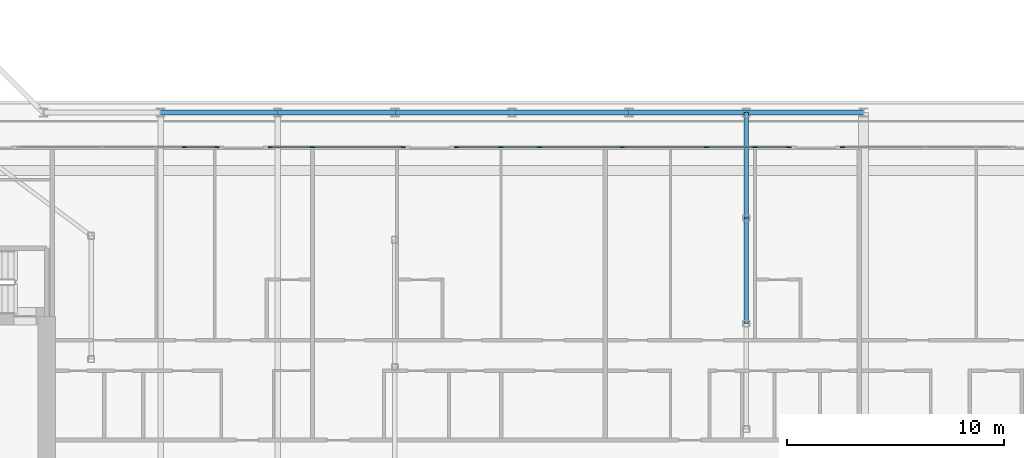
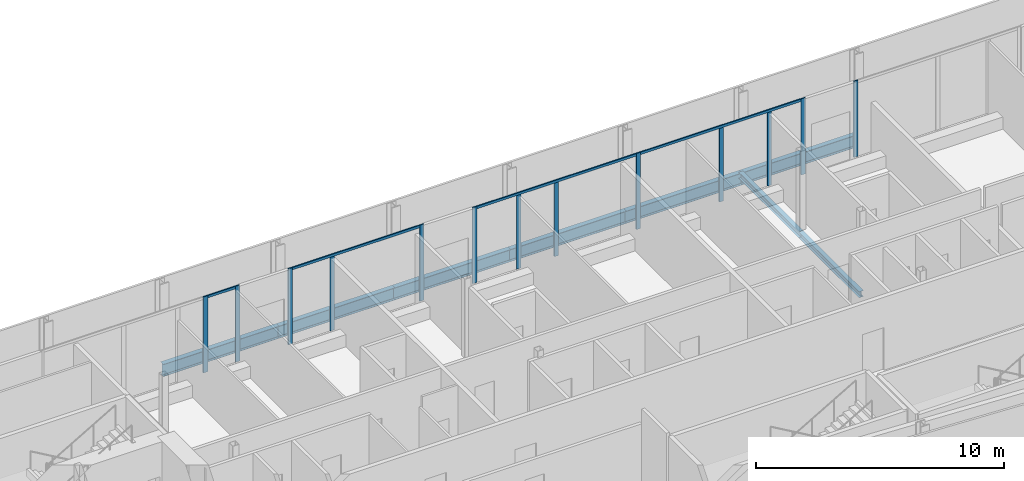
# One storey, part 8 of 28: 17 members, 8 beams, 6 elements without a shape of their own.
"""IFC4 building model written with IfcOpenShell, lengths in metres."""

from ifc_helpers import new_model, si_unit, direction, frame, origin, origin_2d, place, context, subcontext, project, spatial, rectangle, i_section, extrude, material, layer, layer_set, material_profile, profile_set, type_object, element, aggregate, save


model = new_model("IFC4")

# Units and contexts
model_context = context("Model", 3, precision=1e-05, world=origin(), true_north=direction((0.0, 1.0)))
body_context = subcontext(model_context, "Body", "Model", "MODEL_VIEW")
ifc_project = project(units=[si_unit("LENGTHUNIT", "METRE"), si_unit("AREAUNIT", "SQUARE_METRE"), si_unit("VOLUMEUNIT", "CUBIC_METRE"), si_unit("PLANEANGLEUNIT", "RADIAN"), si_unit("MASSUNIT", "GRAM", prefix="KILO")], contexts=[model_context])

# Site, building, storey
site_placement = place(None, origin())
site = spatial("IfcSite", under=ifc_project, at=site_placement, CompositionType="ELEMENT")
building_placement = place(site_placement, origin())
building = spatial("IfcBuilding", under=site, at=building_placement, Name="Kheshtan School and Residences Tower", CompositionType="ELEMENT")
storey_placement = place(building_placement, frame((0.0, 0.0, 191.60009765625)))
storey = spatial("IfcBuildingStorey", under=building, at=storey_placement, Name="L45", CompositionType="ELEMENT", Elevation=191.60009765625)

# Beams
ifc_material_1 = material(Name="Steel ASTM A992 Grade 50", Category="steel")
ifc_material_profile_1 = material_profile(ifc_material_1, i_section(OverallWidth=0.202880859375, OverallDepth=0.302978515625, WebThickness=0.007568359375, FlangeThickness=0.01318359375, FilletRadius=0.009033203125, at=origin_2d()), Name="W310x60")
ifc_profile_set_1 = profile_set([ifc_material_profile_1], Name="Steel ASTM A992 Grade 50")
beam_type_1 = type_object("IfcBeamType", Name="Beam FB1 W310x60 ASTM A992 Grade 50", PredefinedType="BEAM", material=ifc_profile_set_1)
for number, where, z_axis, x_axis, name in (
    (1, (85.39990234375, 45.60009765625, -0.301513671875), (0.0, -1.0, 0.0), (1.0, 0.0, 0.0), "Floor beam C067"),
    (2, (85.39990234375, 40.735107421875, -0.301513671875), (0.0, -1.0, 0.0), (1.0, 0.0, 0.0), "Floor beam IC"),
):
    element("IfcBeam", number, at=place(storey_placement, frame(where, z_axis=z_axis, x_axis=x_axis)), inside=storey, type_object=beam_type_1, Name=name, PredefinedType="BEAM", context=body_context, shape_type="SweptSolid", body=[
        extrude(i_section(OverallWidth=0.202880859375, OverallDepth=0.302978515625, WebThickness=0.007568359375, FlangeThickness=0.01318359375, FilletRadius=0.009033203125, at=origin_2d()), origin(), (0.0, 0.0, 1.0), 4.864990234375),
    ])
ifc_material_profile_2 = material_profile(ifc_material_1, i_section(OverallWidth=0.22802734375, OverallDepth=0.60302734375, WebThickness=0.010498046875, FlangeThickness=0.014892578125, FilletRadius=0.013427734375, at=origin_2d()), Name="W610x101")
ifc_profile_set_2 = profile_set([ifc_material_profile_2], Name="Steel ASTM A992 Grade 50")
beam_type_2 = type_object("IfcBeamType", Name="Beam SP2 W610x101 ASTM A992 Grade 50", PredefinedType="BEAM", material=ifc_profile_set_2)
beam_1_placement = place(storey_placement, frame((58.39990234375, 45.60009765625, -0.45166015625), z_axis=(1.0, 0.0, 0.0), x_axis=(0.0, 1.0, 0.0)))
element("IfcBeam", 3, at=beam_1_placement, inside=storey, type_object=beam_type_2, Name="Spandrel beam C062-C063", PredefinedType="BEAM", context=body_context, shape_type="SweptSolid", body=[
    extrude(i_section(OverallWidth=0.22802734375, OverallDepth=0.60302734375, WebThickness=0.010498046875, FlangeThickness=0.014892578125, FilletRadius=0.013427734375, at=origin_2d()), origin(), (0.0, 0.0, 1.0), 5.400146484375),
])
beam_2_placement = place(storey_placement, frame((63.800048828125, 45.60009765625, -0.45166015625), z_axis=(1.0, 0.0, 0.0), x_axis=(0.0, 1.0, 0.0)))
element("IfcBeam", 4, at=beam_2_placement, inside=storey, type_object=beam_type_2, Name="Spandrel beam C063-C064", PredefinedType="BEAM", context=body_context, shape_type="SweptSolid", body=[
    extrude(i_section(OverallWidth=0.22802734375, OverallDepth=0.60302734375, WebThickness=0.010498046875, FlangeThickness=0.014892578125, FilletRadius=0.013427734375, at=origin_2d()), origin(), (0.0, 0.0, 1.0), 5.39990234375),
])
beam_3_placement = place(storey_placement, frame((69.199951171875, 45.60009765625, -0.45166015625), z_axis=(1.0, 0.0, 0.0), x_axis=(0.0, 1.0, 0.0)))
element("IfcBeam", 5, at=beam_3_placement, inside=storey, type_object=beam_type_2, Name="Spandrel beam C064-C065", PredefinedType="BEAM", context=body_context, shape_type="SweptSolid", body=[
    extrude(i_section(OverallWidth=0.22802734375, OverallDepth=0.60302734375, WebThickness=0.010498046875, FlangeThickness=0.014892578125, FilletRadius=0.013427734375, at=origin_2d()), origin(), (0.0, 0.0, 1.0), 5.400146484375),
])
for number, where, z_axis, x_axis, name in (
    (6, (74.60009765625, 45.60009765625, -0.45166015625), (1.0, 0.0, 0.0), (0.0, 1.0, 0.0), "Spandrel beam C065-C066"),
    (7, (80.0, 45.60009765625, -0.45166015625), (1.0, 0.0, 0.0), (0.0, 1.0, 0.0), "Spandrel beam C066-C067"),
):
    element("IfcBeam", number, at=place(storey_placement, frame(where, z_axis=z_axis, x_axis=x_axis)), inside=storey, type_object=beam_type_2, Name=name, PredefinedType="BEAM", context=body_context, shape_type="SweptSolid", body=[
        extrude(i_section(OverallWidth=0.22802734375, OverallDepth=0.60302734375, WebThickness=0.010498046875, FlangeThickness=0.014892578125, FilletRadius=0.013427734375, at=origin_2d()), origin(), (0.0, 0.0, 1.0), 5.39990234375),
    ])
beam_4_placement = place(storey_placement, frame((85.39990234375, 45.60009765625, -0.45166015625), z_axis=(1.0, 0.0, 0.0), x_axis=(0.0, 1.0, 0.0)))
element("IfcBeam", 8, at=beam_4_placement, inside=storey, type_object=beam_type_2, Name="Spandrel beam C067-C068", PredefinedType="BEAM", context=body_context, shape_type="SweptSolid", body=[
    extrude(i_section(OverallWidth=0.22802734375, OverallDepth=0.60302734375, WebThickness=0.010498046875, FlangeThickness=0.014892578125, FilletRadius=0.013427734375, at=origin_2d()), origin(), (0.0, 0.0, 1.0), 5.400146484375),
])

# Curtain wall, member
ifc_material_2 = material(Name="Clear low-e glass in thermally broken aluminium frame", Category="aluminium")
ifc_layer = layer(ifc_material_2, 0.199951171875)
ifc_layer_set = layer_set([ifc_layer], Name="Curtain wall CW-L")
curtain_wall_type = type_object("IfcCurtainWallType", Name="Curtain wall CW-L", PredefinedType="NOTDEFINED", material=ifc_layer_set)
curtain_wall_1_placement = place(storey_placement, origin())
curtain_wall_1 = element("IfcCurtainWall", 9, at=curtain_wall_1_placement, inside=storey, type_object=curtain_wall_type, Name="Curtain wall CWL12k", PredefinedType="NOTDEFINED")
ifc_material_3 = material(Name="Thermally broken aluminium, dark bronze anodised", Category="aluminium")
ifc_material_profile_3 = material_profile(ifc_material_3, rectangle(XDim=0.06005859375, YDim=0.199951171875, at=origin_2d()), Name="CW-L mullion 60x200")
ifc_profile_set_3 = profile_set([ifc_material_profile_3], Name="Thermally broken aluminium, dark bronze anodised")
member_type_1 = type_object("IfcMemberType", Name="CW-L mullion 60x200", PredefinedType="MULLION", material=ifc_profile_set_3)
member_1_placement = place(storey_placement, frame((59.493896484375, 44.0, 0.0), z_axis=(0.0, 0.0, 1.0), x_axis=(0.0, 1.0, 0.0)))
member_1 = element("IfcMember", 10, at=member_1_placement, type_object=member_type_1, Name="CWL12k mullion 4", PredefinedType="MULLION", context=body_context, shape_type="SweptSolid", body=[
    extrude(rectangle(XDim=0.06005859375, YDim=0.199951171875, at=origin_2d()), origin(), (0.0, 0.0, 1.0), 3.75),
])
aggregate(curtain_wall_1, [member_1])

curtain_wall_2_placement = place(storey_placement, origin())
curtain_wall_2 = element("IfcCurtainWall", 11, at=curtain_wall_2_placement, inside=storey, type_object=curtain_wall_type, Name="Curtain wall CWL12w", PredefinedType="NOTDEFINED")
member_2_placement = place(storey_placement, frame((60.993896484375, 44.0, 0.0), z_axis=(0.0, 0.0, 1.0), x_axis=(0.0, 1.0, 0.0)))
member_2 = element("IfcMember", 12, at=member_2_placement, type_object=member_type_1, Name="CWL12w mullion 2", PredefinedType="MULLION", context=body_context, shape_type="SweptSolid", body=[
    extrude(rectangle(XDim=0.06005859375, YDim=0.199951171875, at=origin_2d()), origin(), (0.0, 0.0, 1.0), 3.75),
])

# Curtain wall, members
curtain_wall_3_placement = place(storey_placement, origin())
curtain_wall_3 = element("IfcCurtainWall", 13, at=curtain_wall_3_placement, inside=storey, type_object=curtain_wall_type, Name="Curtain wall CWL1227", PredefinedType="NOTDEFINED")
member_3_placement = place(storey_placement, frame((63.4541015625, 44.0, 0.0), z_axis=(0.0, 0.0, 1.0), x_axis=(0.0, 1.0, 0.0)))
member_3 = element("IfcMember", 14, at=member_3_placement, type_object=member_type_1, Name="CWL1227 mullion 1", PredefinedType="MULLION", context=body_context, shape_type="SweptSolid", body=[
    extrude(rectangle(XDim=0.06005859375, YDim=0.199951171875, at=origin_2d()), origin(), (0.0, 0.0, 1.0), 3.75),
])
member_4_placement = place(storey_placement, frame((65.39990234375, 44.0, 0.0), z_axis=(0.0, 0.0, 1.0), x_axis=(0.0, 1.0, 0.0)))
member_4 = element("IfcMember", 15, at=member_4_placement, type_object=member_type_1, Name="CWL1227 mullion 2", PredefinedType="MULLION", context=body_context, shape_type="SweptSolid", body=[
    extrude(rectangle(XDim=0.06005859375, YDim=0.199951171875, at=origin_2d()), origin(), (0.0, 0.0, 1.0), 3.6298828125),
])
member_5_placement = place(storey_placement, frame((69.587890625, 44.0, 0.0), z_axis=(0.0, 0.0, 1.0), x_axis=(0.0, 1.0, 0.0)))
member_5 = element("IfcMember", 16, at=member_5_placement, type_object=member_type_1, Name="CWL1227 mullion 3", PredefinedType="MULLION", context=body_context, shape_type="SweptSolid", body=[
    extrude(rectangle(XDim=0.06005859375, YDim=0.199951171875, at=origin_2d()), origin(), (0.0, 0.0, 1.0), 3.75),
])

curtain_wall_4_placement = place(storey_placement, origin())
curtain_wall_4 = element("IfcCurtainWall", 17, at=curtain_wall_4_placement, inside=storey, type_object=curtain_wall_type, Name="Curtain wall CWL12k", PredefinedType="NOTDEFINED")
member_6_placement = place(storey_placement, frame((72.048095703125, 44.0, 0.0), z_axis=(0.0, 0.0, 1.0), x_axis=(0.0, 1.0, 0.0)))
member_6 = element("IfcMember", 18, at=member_6_placement, type_object=member_type_1, Name="CWL12k mullion 1", PredefinedType="MULLION", context=body_context, shape_type="SweptSolid", body=[
    extrude(rectangle(XDim=0.06005859375, YDim=0.199951171875, at=origin_2d()), origin(), (0.0, 0.0, 1.0), 3.75),
])
member_7_placement = place(storey_placement, frame((74.10009765625, 44.0, 0.0), z_axis=(0.0, 0.0, 1.0), x_axis=(0.0, 1.0, 0.0)))
member_7 = element("IfcMember", 19, at=member_7_placement, type_object=member_type_1, Name="CWL12k mullion 2", PredefinedType="MULLION", context=body_context, shape_type="SweptSolid", body=[
    extrude(rectangle(XDim=0.06005859375, YDim=0.199951171875, at=origin_2d()), origin(), (0.0, 0.0, 1.0), 3.6298828125),
])
member_8_placement = place(storey_placement, frame((75.864990234375, 44.0, 0.0), z_axis=(0.0, 0.0, 1.0), x_axis=(0.0, 1.0, 0.0)))
member_8 = element("IfcMember", 20, at=member_8_placement, type_object=member_type_1, Name="CWL12k mullion 3", PredefinedType="MULLION", context=body_context, shape_type="SweptSolid", body=[
    extrude(rectangle(XDim=0.06005859375, YDim=0.199951171875, at=origin_2d()), origin(), (0.0, 0.0, 1.0), 3.6298828125),
])
member_9_placement = place(storey_placement, frame((79.681884765625, 44.0, 0.0), z_axis=(0.0, 0.0, 1.0), x_axis=(0.0, 1.0, 0.0)))
member_9 = element("IfcMember", 21, at=member_9_placement, type_object=member_type_1, Name="CWL12k mullion 4", PredefinedType="MULLION", context=body_context, shape_type="SweptSolid", body=[
    extrude(rectangle(XDim=0.06005859375, YDim=0.199951171875, at=origin_2d()), origin(), (0.0, 0.0, 1.0), 3.75),
])

curtain_wall_5_placement = place(storey_placement, origin())
curtain_wall_5 = element("IfcCurtainWall", 22, at=curtain_wall_5_placement, inside=storey, type_object=curtain_wall_type, Name="Curtain wall CWL12k", PredefinedType="NOTDEFINED")
member_10_placement = place(storey_placement, frame((83.55908203125, 44.0, 0.0), z_axis=(0.0, 0.0, 1.0), x_axis=(0.0, 1.0, 0.0)))
member_10 = element("IfcMember", 23, at=member_10_placement, type_object=member_type_1, Name="CWL12k mullion 2", PredefinedType="MULLION", context=body_context, shape_type="SweptSolid", body=[
    extrude(rectangle(XDim=0.06005859375, YDim=0.199951171875, at=origin_2d()), origin(), (0.0, 0.0, 1.0), 3.6298828125),
])
member_11_placement = place(storey_placement, frame((85.800048828125, 44.0, 0.0), z_axis=(0.0, 0.0, 1.0), x_axis=(0.0, 1.0, 0.0)))
member_11 = element("IfcMember", 24, at=member_11_placement, type_object=member_type_1, Name="CWL12k mullion 3", PredefinedType="MULLION", context=body_context, shape_type="SweptSolid", body=[
    extrude(rectangle(XDim=0.06005859375, YDim=0.199951171875, at=origin_2d()), origin(), (0.0, 0.0, 1.0), 3.6298828125),
])
member_12_placement = place(storey_placement, frame((87.3759765625, 44.0, 0.0), z_axis=(0.0, 0.0, 1.0), x_axis=(0.0, 1.0, 0.0)))
member_12 = element("IfcMember", 25, at=member_12_placement, type_object=member_type_1, Name="CWL12k mullion 4", PredefinedType="MULLION", context=body_context, shape_type="SweptSolid", body=[
    extrude(rectangle(XDim=0.06005859375, YDim=0.199951171875, at=origin_2d()), origin(), (0.0, 0.0, 1.0), 3.75),
])

# Curtain wall, member
curtain_wall_6_placement = place(storey_placement, origin())
curtain_wall_6 = element("IfcCurtainWall", 26, at=curtain_wall_6_placement, inside=storey, type_object=curtain_wall_type, Name="Curtain wall CWL12k", PredefinedType="NOTDEFINED")
member_13_placement = place(storey_placement, frame((89.8359375, 44.0, 0.0), z_axis=(0.0, 0.0, 1.0), x_axis=(0.0, 1.0, 0.0)))
member_13 = element("IfcMember", 27, at=member_13_placement, type_object=member_type_1, Name="CWL12k mullion 1", PredefinedType="MULLION", context=body_context, shape_type="SweptSolid", body=[
    extrude(rectangle(XDim=0.06005859375, YDim=0.199951171875, at=origin_2d()), origin(), (0.0, 0.0, 1.0), 3.75),
])
aggregate(curtain_wall_6, [member_13])

# Member
ifc_material_profile_4 = material_profile(ifc_material_3, rectangle(XDim=0.06005859375, YDim=0.1201171875, at=origin_2d()), Name="CW-L transom 60x120")
ifc_profile_set_4 = profile_set([ifc_material_profile_4], Name="Thermally broken aluminium, dark bronze anodised")
member_type_2 = type_object("IfcMemberType", Name="CW-L transom 60x120", PredefinedType="USERDEFINED", material=ifc_profile_set_4)
member_14_placement = place(storey_placement, frame((59.52392578125, 44.0, 3.68994140625), z_axis=(1.0, 0.0, 0.0), x_axis=(0.0, 1.0, 0.0)))
member_14 = element("IfcMember", 28, at=member_14_placement, type_object=member_type_2, Name="CWL12w transom 1", ObjectType="TRANSOM", PredefinedType="USERDEFINED", context=body_context, shape_type="SweptSolid", body=[
    extrude(rectangle(XDim=0.06005859375, YDim=0.1201171875, at=origin_2d()), origin(), (0.0, 0.0, 1.0), 1.440185546875),
])

aggregate(curtain_wall_2, [member_2, member_14])

member_15_placement = place(storey_placement, frame((63.48388671875, 44.0, 3.68994140625), z_axis=(1.0, 0.0, 0.0), x_axis=(0.0, 1.0, 0.0)))
member_15 = element("IfcMember", 29, at=member_15_placement, type_object=member_type_2, Name="CWL1227 transom 1", ObjectType="TRANSOM", PredefinedType="USERDEFINED", context=body_context, shape_type="SweptSolid", body=[
    extrude(rectangle(XDim=0.06005859375, YDim=0.1201171875, at=origin_2d()), origin(), (0.0, 0.0, 1.0), 6.07421875),
])

aggregate(curtain_wall_3, [member_3, member_4, member_5, member_15])

member_16_placement = place(storey_placement, frame((72.077880859375, 44.0, 3.68994140625), z_axis=(1.0, 0.0, 0.0), x_axis=(0.0, 1.0, 0.0)))
member_16 = element("IfcMember", 30, at=member_16_placement, type_object=member_type_2, Name="CWL12k transom 1", ObjectType="TRANSOM", PredefinedType="USERDEFINED", context=body_context, shape_type="SweptSolid", body=[
    extrude(rectangle(XDim=0.06005859375, YDim=0.1201171875, at=origin_2d()), origin(), (0.0, 0.0, 1.0), 7.57421875),
])

aggregate(curtain_wall_4, [member_6, member_7, member_8, member_9, member_16])

member_17_placement = place(storey_placement, frame((79.7119140625, 44.0, 3.68994140625), z_axis=(1.0, 0.0, 0.0), x_axis=(0.0, 1.0, 0.0)))
member_17 = element("IfcMember", 31, at=member_17_placement, type_object=member_type_2, Name="CWL12k transom 1", ObjectType="TRANSOM", PredefinedType="USERDEFINED", context=body_context, shape_type="SweptSolid", body=[
    extrude(rectangle(XDim=0.06005859375, YDim=0.1201171875, at=origin_2d()), origin(), (0.0, 0.0, 1.0), 7.634033203125),
])

aggregate(curtain_wall_5, [member_10, member_11, member_12, member_17])

save(model, "model.ifc")
